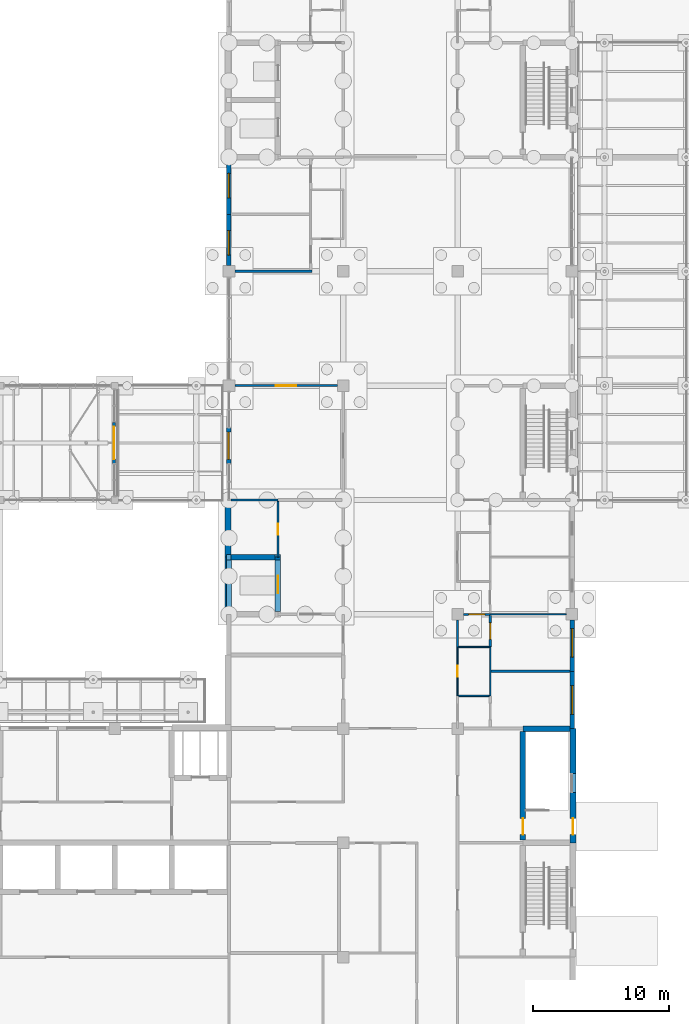
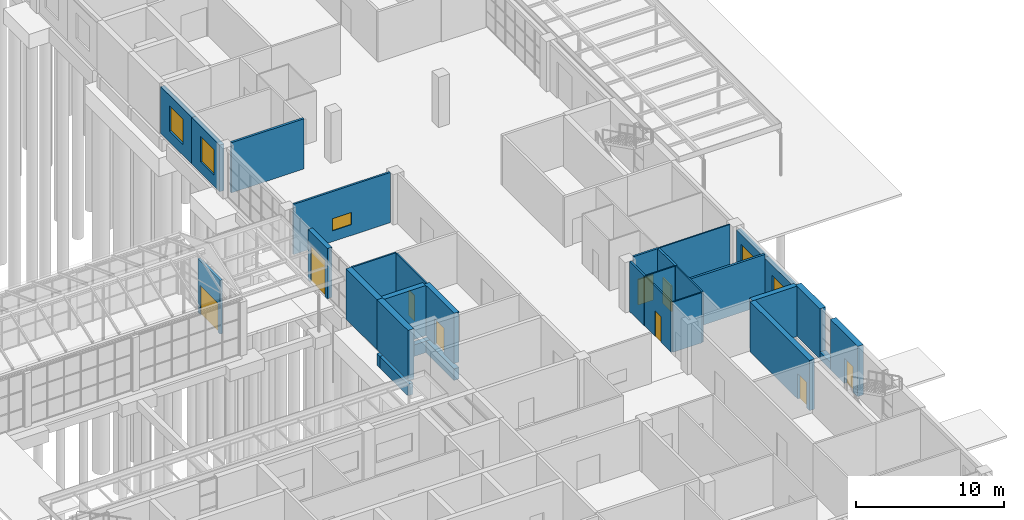
# One storey, part 116 of 138: 31 walls, 9 doors, 5 windows, 14 openings.
"""IFC4 building model written with IfcOpenShell, lengths in metres."""

from ifc_helpers import new_model, si_unit, direction, frame, frame_2d, origin, place, context, subcontext, project, spatial, rectangle, extrude, material, layer, layer_set, type_object, element, fill, save


model = new_model("IFC4")

# Units and contexts
model_context = context("Model", 3, precision=1e-05, world=origin(), true_north=direction((0.0, 1.0)))
body_context = subcontext(model_context, "Body", "Model", "MODEL_VIEW")
ifc_project = project(units=[si_unit("LENGTHUNIT", "METRE"), si_unit("AREAUNIT", "SQUARE_METRE"), si_unit("VOLUMEUNIT", "CUBIC_METRE"), si_unit("PLANEANGLEUNIT", "RADIAN"), si_unit("MASSUNIT", "GRAM", prefix="KILO")], contexts=[model_context])

# Site, building, storey
site_placement = place(None, origin())
site = spatial("IfcSite", under=ifc_project, at=site_placement, CompositionType="ELEMENT")
building_placement = place(site_placement, origin())
building = spatial("IfcBuilding", under=site, at=building_placement, Name="Yavir Park General Hospital", CompositionType="ELEMENT")
storey_placement = place(building_placement, origin())
storey = spatial("IfcBuildingStorey", under=building, at=storey_placement, Name="L00", CompositionType="ELEMENT", Elevation=0.0)

# Walls
ifc_material_1 = material(Name="Double-leaf gypsum board acoustic partition on staggered studs")
ifc_layer_1 = layer(ifc_material_1, 0.175048828125)
ifc_layer_set_1 = layer_set([ifc_layer_1], Name="Double-leaf gypsum board acoustic partition on staggered studs")
wall_type_1 = type_object("IfcWallType", Name="Acoustic partition 175", PredefinedType="PARTITIONING", material=ifc_layer_set_1)
wall_1_placement = place(storey_placement, frame((162.050048828125, 37.800048828125, 0.0), z_axis=(0.0, 0.0, 1.0), x_axis=(1.0, 0.0, 0.0)))
element("IfcWall", 1, at=wall_1_placement, inside=storey, type_object=wall_type_1, Name="AP175 L00-101", PredefinedType="PARTITIONING", context=body_context, shape_type="SweptSolid", body=[
    extrude(rectangle(XDim=5.800048828125, YDim=0.175048828125, at=frame_2d((2.89990234375, 0.0))), origin(), (0.0, 0.0, 1.0), 4.139892578125),
])
wall_2_placement = place(storey_placement, frame((143.22509765625, 67.199951171875, 0.0), z_axis=(0.0, 0.0, 1.0), x_axis=(1.0, 0.0, 0.0)))
element("IfcWall", 2, at=wall_2_placement, inside=storey, type_object=wall_type_1, Name="AP175 L00-164", PredefinedType="PARTITIONING", context=body_context, shape_type="SweptSolid", body=[
    extrude(rectangle(XDim=5.662353515625, YDim=0.175048828125, at=frame_2d((2.8310546875, 0.0))), origin(), (0.0, 0.0, 1.0), 4.139892578125),
])

# Wall, opening, door
wall_3_placement = place(storey_placement, frame((162.0, 39.60009765625, 0.0), z_axis=(0.0, 0.0, 1.0), x_axis=(0.0, 1.0, 0.0)))
wall_3 = element("IfcWall", 3, at=wall_3_placement, inside=storey, type_object=wall_type_1, Name="AP175 L00-516", PredefinedType="PARTITIONING", context=body_context, shape_type="SweptSolid", body=[
    extrude(rectangle(XDim=2.324951171875, YDim=0.175048828125, at=frame_2d((1.16259765625, 0.0))), origin(), (0.0, 0.0, 1.0), 4.139892578125),
])
opening_1_placement = place(wall_3_placement, frame((0.5625, 0.0, 0.0)))
opening_1 = element("IfcOpeningElement", 4, at=opening_1_placement, cuts=wall_3, Name="Opening L00.D239", PredefinedType="OPENING", context=body_context, shape_type="SweptSolid", body=[
    extrude(rectangle(XDim=1.199951171875, YDim=2.10009765625, at=frame_2d((0.60009765625, 1.050048828125))), frame((0.0, 0.097412109375, 0.0), z_axis=(0.0, -1.0, 0.0), x_axis=(1.0, 0.0, 0.0)), (0.0, 0.0, 1.0), 0.195068359375),
])
ifc_material_2 = material(Name="Sealed steel door leaf, compression seals", Category="steel")
door_type_1 = type_object("IfcDoorType", Name="Isolation airlock door 1200 x 2100", OperationType="SINGLE_SWING_LEFT", PredefinedType="DOOR", material=ifc_material_2)
door_1_placement = place(opening_1_placement, origin())
door_1 = element("IfcDoor", 5, at=door_1_placement, inside=storey, type_object=door_type_1, Name="L00.D239", OperationType="SINGLE_SWING_RIGHT", OverallHeight=2.10009765625, OverallWidth=1.199951171875, PredefinedType="DOOR", context=body_context, shape_type="SweptSolid", body=[
    extrude(rectangle(XDim=1.199951171875, YDim=2.10009765625, at=frame_2d((0.60009765625, 1.050048828125))), frame((0.0, 0.050048828125, 0.0), z_axis=(0.0, -1.0, 0.0), x_axis=(1.0, 0.0, 0.0)), (0.0, 0.0, 1.0), 0.10009765625),
])
fill(opening_1, door_1)

ifc_material_3 = material(Name="Aluminium glazing frame wall with insulated infill", Category="aluminium")
ifc_layer_2 = layer(ifc_material_3, 0.199951171875)
ifc_layer_set_2 = layer_set([ifc_layer_2], Name="Aluminium glazing frame wall with insulated infill")
wall_type_2 = type_object("IfcWallType", Name="Glazing frame wall 200, E 30", PredefinedType="SOLIDWALL", material=ifc_layer_set_2)
wall_4_placement = place(storey_placement, frame((134.35009765625, 53.10009765625, 0.0), z_axis=(0.0, 0.0, 1.0), x_axis=(0.0, 1.0, 0.0)))
wall_4 = element("IfcWall", 6, at=wall_4_placement, inside=storey, type_object=wall_type_2, Name="XW9 L00-155", PredefinedType="SOLIDWALL", context=body_context, shape_type="SweptSolid", body=[
    extrude(rectangle(XDim=3.0, YDim=0.199951171875, at=frame_2d((1.5, 0.0))), origin(), (0.0, 0.0, 1.0), 4.425048828125),
])
opening_2_placement = place(wall_4_placement, frame((0.300048828125, 0.0, 0.0)))
opening_2 = element("IfcOpeningElement", 7, at=opening_2_placement, cuts=wall_4, Name="Opening L00.X31", PredefinedType="OPENING", context=body_context, shape_type="SweptSolid", body=[
    extrude(rectangle(XDim=2.39990234375, YDim=2.39990234375, at=frame_2d((1.199951171875, 1.199951171875))), frame((0.0, 0.10986328125, 0.0), z_axis=(0.0, -1.0, 0.0), x_axis=(1.0, 0.0, 0.0)), (0.0, 0.0, 1.0), 0.219970703125),
])
ifc_material_4 = material(Name="Aluminium frame, toughened glass leaves", Category="aluminium")
door_type_2 = type_object("IfcDoorType", Name="Double sliding door 2400 x 2400", OperationType="DOUBLE_DOOR_SLIDING", PredefinedType="DOOR", material=ifc_material_4)
door_2_placement = place(opening_2_placement, frame((2.39990234375, 0.0, 0.0), x_axis=(-1.0, 0.0, 0.0)))
door_2 = element("IfcDoor", 8, at=door_2_placement, inside=storey, type_object=door_type_2, Name="L00.X31", OperationType="DOUBLE_DOOR_SLIDING", OverallHeight=2.39990234375, OverallWidth=2.39990234375, PredefinedType="DOOR", context=body_context, shape_type="SweptSolid", body=[
    extrude(rectangle(XDim=2.39990234375, YDim=2.39990234375, at=frame_2d((1.199951171875, 1.199951171875))), frame((0.0, 0.02490234375, 0.0), z_axis=(0.0, -1.0, 0.0), x_axis=(1.0, 0.0, 0.0)), (0.0, 0.0, 1.0), 0.050048828125),
])
fill(opening_2, door_2)

# Walls
ifc_material_5 = material(Name="Gypsum board partition on steel studs", Category="steel")
ifc_layer_3 = layer(ifc_material_5, 0.10009765625)
ifc_layer_set_3 = layer_set([ifc_layer_3], Name="Gypsum board partition on steel studs")
wall_type_3 = type_object("IfcWallType", Name="Gypsum board partition 100", PredefinedType="PARTITIONING", material=ifc_layer_set_3)
for number, where, z_axis, x_axis, name in (
    (9, (159.675048828125, 36.0, 0.0), (0.0, 0.0, 1.0), (1.0, 0.0, 0.0), "P10 L00-098"),
    (10, (159.675048828125, 39.60009765625, 0.0), (0.0, 0.0, 1.0), (1.0, 0.0, 0.0), "P10 L00-103"),
):
    element("IfcWall", number, at=place(storey_placement, frame(where, z_axis=z_axis, x_axis=x_axis)), inside=storey, type_object=wall_type_3, Name=name, PredefinedType="PARTITIONING", context=body_context, shape_type="SweptSolid", body=[
        extrude(rectangle(XDim=2.237548828125, YDim=0.10009765625, at=frame_2d((1.11865234375, 0.0))), origin(), (0.0, 0.0, 1.0), 4.139892578125),
    ])
wall_5_placement = place(storey_placement, frame((162.0, 42.0, 0.0), z_axis=(0.0, 0.0, 1.0), x_axis=(1.0, 0.0, 0.0)))
element("IfcWall", 11, at=wall_5_placement, inside=storey, type_object=wall_type_3, Name="P10 L00-114", PredefinedType="PARTITIONING", context=body_context, shape_type="SweptSolid", body=[
    extrude(rectangle(XDim=5.574951171875, YDim=0.10009765625, at=frame_2d((2.78759765625, 0.0))), origin(), (0.0, 0.0, 1.0), 4.139892578125),
])

# Wall, opening, door
wall_6_placement = place(storey_placement, frame((159.60009765625, 36.0, 0.0), z_axis=(0.0, 0.0, 1.0), x_axis=(0.0, 1.0, 0.0)))
wall_6 = element("IfcWall", 12, at=wall_6_placement, inside=storey, type_object=wall_type_3, Name="P10 L00-503", PredefinedType="PARTITIONING", context=body_context, shape_type="SweptSolid", body=[
    extrude(rectangle(XDim=3.60009765625, YDim=0.10009765625, at=frame_2d((1.800048828125, 0.0))), origin(), (0.0, 0.0, 1.0), 4.139892578125),
])
opening_3_placement = place(wall_6_placement, frame((1.39990234375, 0.0, 0.0)))
opening_3 = element("IfcOpeningElement", 13, at=opening_3_placement, cuts=wall_6, Name="Opening L00.D235", PredefinedType="OPENING", context=body_context, shape_type="SweptSolid", body=[
    extrude(rectangle(XDim=0.800048828125, YDim=2.10009765625, at=frame_2d((0.39990234375, 1.050048828125))), frame((0.0, 0.06005859375, 0.0), z_axis=(0.0, -1.0, 0.0), x_axis=(1.0, 0.0, 0.0)), (0.0, 0.0, 1.0), 0.1201171875),
])
ifc_material_6 = material(Name="Timber frame, hollow-core leaf", Category="wood")
door_type_3 = type_object("IfcDoorType", Name="Light cupboard door 800 x 2100", OperationType="SINGLE_SWING_LEFT", PredefinedType="DOOR", material=ifc_material_6)
door_3_placement = place(opening_3_placement, origin())
door_3 = element("IfcDoor", 14, at=door_3_placement, inside=storey, type_object=door_type_3, Name="L00.D235", OperationType="SINGLE_SWING_LEFT", OverallHeight=2.10009765625, OverallWidth=0.800048828125, PredefinedType="DOOR", context=body_context, shape_type="SweptSolid", body=[
    extrude(rectangle(XDim=0.800048828125, YDim=2.10009765625, at=frame_2d((0.39990234375, 1.050048828125))), frame((0.0, 0.02001953125, 0.0), z_axis=(0.0, -1.0, 0.0), x_axis=(1.0, 0.0, 0.0)), (0.0, 0.0, 1.0), 0.0400390625),
])
fill(opening_3, door_3)

# Wall
wall_7_placement = place(storey_placement, frame((162.0, 36.0, 0.0), z_axis=(0.0, 0.0, 1.0), x_axis=(0.0, 1.0, 0.0)))
element("IfcWall", 15, at=wall_7_placement, inside=storey, type_object=wall_type_3, Name="P10 L00-515", PredefinedType="PARTITIONING", context=body_context, shape_type="SweptSolid", body=[
    extrude(rectangle(XDim=3.60009765625, YDim=0.10009765625, at=frame_2d((1.800048828125, 0.0))), origin(), (0.0, 0.0, 1.0), 4.139892578125),
])

# Wall, opening, door
ifc_material_7 = material(Name="Gypsum board partition on steel studs", Category="steel")
ifc_layer_4 = layer(ifc_material_7, 0.14990234375)
ifc_layer_set_4 = layer_set([ifc_layer_4], Name="Gypsum board partition on steel studs")
wall_type_4 = type_object("IfcWallType", Name="Gypsum board partition 150", PredefinedType="PARTITIONING", material=ifc_layer_set_4)
wall_8_placement = place(storey_placement, frame((160.02490234375, 42.0, 0.0), z_axis=(0.0, 0.0, 1.0), x_axis=(1.0, 0.0, 0.0)))
wall_8 = element("IfcWall", 16, at=wall_8_placement, inside=storey, type_object=wall_type_4, Name="P15 L00-113", PredefinedType="PARTITIONING", context=body_context, shape_type="SweptSolid", body=[
    extrude(rectangle(XDim=1.97509765625, YDim=0.14990234375, at=frame_2d((0.987548828125, 0.0))), origin(), (0.0, 0.0, 1.0), 4.139892578125),
])
opening_4_placement = place(wall_8_placement, frame((0.387451171875, 0.0, 0.0)))
opening_4 = element("IfcOpeningElement", 17, at=opening_4_placement, cuts=wall_8, Name="Opening L00.D085", PredefinedType="OPENING", context=body_context, shape_type="SweptSolid", body=[
    extrude(rectangle(XDim=1.199951171875, YDim=2.10009765625, at=frame_2d((0.60009765625, 1.050048828125))), frame((0.0, 0.0849609375, 0.0), z_axis=(0.0, -1.0, 0.0), x_axis=(1.0, 0.0, 0.0)), (0.0, 0.0, 1.0), 0.169921875),
])
door_4_placement = place(opening_4_placement, origin())
door_4 = element("IfcDoor", 18, at=door_4_placement, inside=storey, type_object=door_type_1, Name="L00.D085", OperationType="SINGLE_SWING_RIGHT", OverallHeight=2.10009765625, OverallWidth=1.199951171875, PredefinedType="DOOR", context=body_context, shape_type="SweptSolid", body=[
    extrude(rectangle(XDim=1.199951171875, YDim=2.10009765625, at=frame_2d((0.60009765625, 1.050048828125))), frame((0.0, 0.050048828125, 0.0), z_axis=(0.0, -1.0, 0.0), x_axis=(1.0, 0.0, 0.0)), (0.0, 0.0, 1.0), 0.10009765625),
])
fill(opening_4, door_4)

# Wall, opening, window
wall_9_placement = place(storey_placement, frame((143.22509765625, 58.800048828125, 0.0), z_axis=(0.0, 0.0, 1.0), x_axis=(1.0, 0.0, 0.0)))
wall_9 = element("IfcWall", 19, at=wall_9_placement, inside=storey, type_object=wall_type_4, Name="P15 L00-147", PredefinedType="PARTITIONING", context=body_context, shape_type="SweptSolid", body=[
    extrude(rectangle(XDim=7.5498046875, YDim=0.14990234375, at=frame_2d((3.77490234375, 0.0))), origin(), (0.0, 0.0, 1.0), 4.139892578125),
])
opening_5_placement = place(wall_9_placement, frame((3.02490234375, 0.0, 0.89990234375)))
opening_5 = element("IfcOpeningElement", 20, at=opening_5_placement, cuts=wall_9, Name="Opening L00.906", PredefinedType="OPENING", context=body_context, shape_type="SweptSolid", body=[
    extrude(rectangle(XDim=1.5, YDim=1.0, at=frame_2d((0.75, 0.5))), frame((0.0, 0.0849609375, 0.0), z_axis=(0.0, -1.0, 0.0), x_axis=(1.0, 0.0, 0.0)), (0.0, 0.0, 1.0), 0.169921875),
])
ifc_material_8 = material(Name="Toughened glass sliding panels, aluminium frame", Category="aluminium")
window_type_1 = type_object("IfcWindowType", Name="Reception counter window 1500 x 1000", PartitioningType="DOUBLE_PANEL_HORIZONTAL", PredefinedType="WINDOW", material=ifc_material_8)
window_1_placement = place(opening_5_placement, origin())
window_1 = element("IfcWindow", 21, at=window_1_placement, inside=storey, type_object=window_type_1, Name="L00.906", OverallHeight=1.0, OverallWidth=1.5, PartitioningType="DOUBLE_PANEL_HORIZONTAL", PredefinedType="WINDOW", context=body_context, shape_type="SweptSolid", body=[
    extrude(rectangle(XDim=1.5, YDim=1.0, at=frame_2d((0.75, 0.5))), frame((0.0, 0.02490234375, 0.0), z_axis=(0.0, -1.0, 0.0), x_axis=(1.0, 0.0, 0.0)), (0.0, 0.0, 1.0), 0.050048828125),
])
fill(opening_5, window_1)

# Wall
wall_10_placement = place(storey_placement, frame((159.60009765625, 39.60009765625, 0.0), z_axis=(0.0, 0.0, 1.0), x_axis=(0.0, 1.0, 0.0)))
element("IfcWall", 22, at=wall_10_placement, inside=storey, type_object=wall_type_4, Name="P15 L00-504", PredefinedType="PARTITIONING", context=body_context, shape_type="SweptSolid", body=[
    extrude(rectangle(XDim=1.974853515625, YDim=0.14990234375, at=frame_2d((0.9873046875, 0.0))), origin(), (0.0, 0.0, 1.0), 4.139892578125),
])

# Wall, opening, door
ifc_material_9 = material(Name="Concrete C30/37 precast panel with 120 mm mineral wool insulation", Category="concrete")
ifc_layer_5 = layer(ifc_material_9, 0.35009765625)
ifc_layer_set_5 = layer_set([ifc_layer_5], Name="Concrete C30/37 precast panel with 120 mm mineral wool insulation")
wall_type_5 = type_object("IfcWallType", Name="Precast cladding panel podium wall 350, E 30", PredefinedType="SOLIDWALL", material=ifc_layer_set_5)
wall_11_placement = place(storey_placement, frame((142.77490234375, 53.08740234375, 0.0), z_axis=(0.0, 0.0, 1.0), x_axis=(0.0, 1.0, 0.0)))
wall_11 = element("IfcWall", 23, at=wall_11_placement, inside=storey, type_object=wall_type_5, Name="XW2 L00-160", PredefinedType="SOLIDWALL", context=body_context, shape_type="SweptSolid", body=[
    extrude(rectangle(XDim=2.60009765625, YDim=0.35009765625, at=frame_2d((1.300048828125, 0.0))), origin(), (0.0, 0.0, 1.0), 4.139892578125),
])
opening_6_placement = place(wall_11_placement, frame((0.300048828125, 0.0, 0.0)))
opening_6 = element("IfcOpeningElement", 24, at=opening_6_placement, cuts=wall_11, Name="Opening L00.X32", PredefinedType="OPENING", context=body_context, shape_type="SweptSolid", body=[
    extrude(rectangle(XDim=2.0, YDim=3.0, at=frame_2d((1.0, 1.5))), frame((0.0, 0.18505859375, 0.0), z_axis=(0.0, -1.0, 0.0), x_axis=(1.0, 0.0, 0.0)), (0.0, 0.0, 1.0), 0.3701171875),
])
ifc_material_10 = material(Name="Aluminium frame, toughened glass leaves", Category="aluminium")
door_type_4 = type_object("IfcDoorType", Name="Automatic entrance sliding door 2000 x 3000", OperationType="DOUBLE_DOOR_SLIDING", PredefinedType="DOOR", material=ifc_material_10)
door_5_placement = place(opening_6_placement, origin())
door_5 = element("IfcDoor", 25, at=door_5_placement, inside=storey, type_object=door_type_4, Name="L00.X32", OperationType="DOUBLE_DOOR_SLIDING", OverallHeight=3.0, OverallWidth=2.0, PredefinedType="DOOR", context=body_context, shape_type="SweptSolid", body=[
    extrude(rectangle(XDim=2.0, YDim=3.0, at=frame_2d((1.0, 1.5))), frame((0.0, 0.06005859375, 0.0), z_axis=(0.0, -1.0, 0.0), x_axis=(1.0, 0.0, 0.0)), (0.0, 0.0, 1.0), 0.1201171875),
])
fill(opening_6, door_5)

# Wall, opening, window
wall_12_placement = place(storey_placement, frame((142.77490234375, 67.625, 0.0), z_axis=(0.0, 0.0, 1.0), x_axis=(0.0, 1.0, 0.0)))
wall_12 = element("IfcWall", 26, at=wall_12_placement, inside=storey, type_object=wall_type_5, Name="XW2 L00-161", PredefinedType="SOLIDWALL", context=body_context, shape_type="SweptSolid", body=[
    extrude(rectangle(XDim=3.77490234375, YDim=0.35009765625, at=frame_2d((1.887451171875, 0.0))), origin(), (0.0, 0.0, 1.0), 3.840087890625),
])
opening_7_placement = place(wall_12_placement, frame((0.77490234375, 0.0, 0.89990234375)))
opening_7 = element("IfcOpeningElement", 27, at=opening_7_placement, cuts=wall_12, Name="Opening WS2", PredefinedType="OPENING", context=body_context, shape_type="SweptSolid", body=[
    extrude(rectangle(XDim=1.800048828125, YDim=2.10009765625, at=frame_2d((0.89990234375, 1.050048828125))), frame((0.0, 0.18505859375, 0.0), z_axis=(0.0, -1.0, 0.0), x_axis=(1.0, 0.0, 0.0)), (0.0, 0.0, 1.0), 0.3701171875),
])
ifc_material_11 = material(Name="Aluminium frame, impact-resistant glazed unit", Category="aluminium")
window_type_2 = type_object("IfcWindowType", Name="Tall emergency department window, impact glazing 1800 x 2100", PartitioningType="SINGLE_PANEL", PredefinedType="WINDOW", material=ifc_material_11)
window_2_placement = place(opening_7_placement, origin())
window_2 = element("IfcWindow", 28, at=window_2_placement, inside=storey, type_object=window_type_2, Name="WS2 L00-065", OverallHeight=2.10009765625, OverallWidth=1.800048828125, PartitioningType="SINGLE_PANEL", PredefinedType="WINDOW", context=body_context, shape_type="SweptSolid", body=[
    extrude(rectangle(XDim=1.800048828125, YDim=2.10009765625, at=frame_2d((0.89990234375, 1.050048828125))), frame((0.0, 0.044921875, 0.0), z_axis=(0.0, -1.0, 0.0), x_axis=(1.0, 0.0, 0.0)), (0.0, 0.0, 1.0), 0.090087890625),
])
fill(opening_7, window_2)

wall_13_placement = place(storey_placement, frame((142.77490234375, 71.39990234375, 0.0), z_axis=(0.0, 0.0, 1.0), x_axis=(0.0, 1.0, 0.0)))
wall_13 = element("IfcWall", 29, at=wall_13_placement, inside=storey, type_object=wall_type_5, Name="XW2 L00-162", PredefinedType="SOLIDWALL", context=body_context, shape_type="SweptSolid", body=[
    extrude(rectangle(XDim=4.2001953125, YDim=0.35009765625, at=frame_2d((2.10009765625, 0.0))), origin(), (0.0, 0.0, 1.0), 3.840087890625),
])
opening_8_placement = place(wall_13_placement, frame((1.199951171875, 0.0, 0.89990234375)))
opening_8 = element("IfcOpeningElement", 30, at=opening_8_placement, cuts=wall_13, Name="Opening WS2", PredefinedType="OPENING", context=body_context, shape_type="SweptSolid", body=[
    extrude(rectangle(XDim=1.800048828125, YDim=2.10009765625, at=frame_2d((0.89990234375, 1.050048828125))), frame((0.0, 0.18505859375, 0.0), z_axis=(0.0, -1.0, 0.0), x_axis=(1.0, 0.0, 0.0)), (0.0, 0.0, 1.0), 0.3701171875),
])
window_3_placement = place(opening_8_placement, origin())
window_3 = element("IfcWindow", 31, at=window_3_placement, inside=storey, type_object=window_type_2, Name="WS2 L00-066", OverallHeight=2.10009765625, OverallWidth=1.800048828125, PartitioningType="SINGLE_PANEL", PredefinedType="WINDOW", context=body_context, shape_type="SweptSolid", body=[
    extrude(rectangle(XDim=1.800048828125, YDim=2.10009765625, at=frame_2d((0.89990234375, 1.050048828125))), frame((0.0, 0.044921875, 0.0), z_axis=(0.0, -1.0, 0.0), x_axis=(1.0, 0.0, 0.0)), (0.0, 0.0, 1.0), 0.090087890625),
])
fill(opening_8, window_3)

wall_14_placement = place(storey_placement, frame((168.02490234375, 33.60009765625, 0.0), z_axis=(0.0, 0.0, 1.0), x_axis=(0.0, 1.0, 0.0)))
wall_14 = element("IfcWall", 32, at=wall_14_placement, inside=storey, type_object=wall_type_5, Name="XW2 L00-180", PredefinedType="SOLIDWALL", context=body_context, shape_type="SweptSolid", body=[
    extrude(rectangle(XDim=4.199951171875, YDim=0.35009765625, at=frame_2d((2.10009765625, 0.0))), origin(), (0.0, 0.0, 1.0), 3.840087890625),
])
opening_9_placement = place(wall_14_placement, frame((1.050048828125, 0.0, 0.89990234375)))
opening_9 = element("IfcOpeningElement", 33, at=opening_9_placement, cuts=wall_14, Name="Opening WI2", PredefinedType="OPENING", context=body_context, shape_type="SweptSolid", body=[
    extrude(rectangle(XDim=2.10009765625, YDim=2.10009765625, at=frame_2d((1.050048828125, 1.050048828125))), frame((0.0, 0.18505859375, 0.0), z_axis=(0.0, -1.0, 0.0), x_axis=(1.0, 0.0, 0.0)), (0.0, 0.0, 1.0), 0.3701171875),
])
ifc_material_12 = material(Name="Aluminium frame, acoustic glazed unit", Category="aluminium")
window_type_3 = type_object("IfcWindowType", Name="Tall acoustic glazed window 2100 x 2100", PartitioningType="SINGLE_PANEL", PredefinedType="WINDOW", material=ifc_material_12)
window_4_placement = place(opening_9_placement, origin())
window_4 = element("IfcWindow", 34, at=window_4_placement, inside=storey, type_object=window_type_3, Name="WI2 L00-078", OverallHeight=2.10009765625, OverallWidth=2.10009765625, PartitioningType="SINGLE_PANEL", PredefinedType="WINDOW", context=body_context, shape_type="SweptSolid", body=[
    extrude(rectangle(XDim=2.10009765625, YDim=2.10009765625, at=frame_2d((1.050048828125, 1.050048828125))), frame((0.0, 0.044921875, 0.0), z_axis=(0.0, -1.0, 0.0), x_axis=(1.0, 0.0, 0.0)), (0.0, 0.0, 1.0), 0.090087890625),
])
fill(opening_9, window_4)

wall_15_placement = place(storey_placement, frame((168.02490234375, 37.800048828125, 0.0), z_axis=(0.0, 0.0, 1.0), x_axis=(0.0, 1.0, 0.0)))
wall_15 = element("IfcWall", 35, at=wall_15_placement, inside=storey, type_object=wall_type_5, Name="XW2 L00-181", PredefinedType="SOLIDWALL", context=body_context, shape_type="SweptSolid", body=[
    extrude(rectangle(XDim=3.77490234375, YDim=0.35009765625, at=frame_2d((1.887451171875, 0.0))), origin(), (0.0, 0.0, 1.0), 3.840087890625),
])
opening_10_placement = place(wall_15_placement, frame((1.050048828125, 0.0, 0.89990234375)))
opening_10 = element("IfcOpeningElement", 36, at=opening_10_placement, cuts=wall_15, Name="Opening WI2", PredefinedType="OPENING", context=body_context, shape_type="SweptSolid", body=[
    extrude(rectangle(XDim=2.10009765625, YDim=2.10009765625, at=frame_2d((1.050048828125, 1.050048828125))), frame((0.0, 0.18505859375, 0.0), z_axis=(0.0, -1.0, 0.0), x_axis=(1.0, 0.0, 0.0)), (0.0, 0.0, 1.0), 0.3701171875),
])
window_5_placement = place(opening_10_placement, origin())
window_5 = element("IfcWindow", 37, at=window_5_placement, inside=storey, type_object=window_type_3, Name="WI2 L00-079", OverallHeight=2.10009765625, OverallWidth=2.10009765625, PartitioningType="SINGLE_PANEL", PredefinedType="WINDOW", context=body_context, shape_type="SweptSolid", body=[
    extrude(rectangle(XDim=2.10009765625, YDim=2.10009765625, at=frame_2d((1.050048828125, 1.050048828125))), frame((0.0, 0.044921875, 0.0), z_axis=(0.0, -1.0, 0.0), x_axis=(1.0, 0.0, 0.0)), (0.0, 0.0, 1.0), 0.090087890625),
])
fill(opening_10, window_5)

# Walls
ifc_material_13 = material(Name="Concrete C35/45", Category="concrete")
ifc_layer_6 = layer(ifc_material_13, 0.39990234375)
ifc_layer_set_6 = layer_set([ifc_layer_6], Name="Concrete C35/45")
wall_type_6 = type_object("IfcWallType", Name="RC WALL LIFT PIT 400", PredefinedType="SOLIDWALL", material=ifc_layer_set_6)
wall_16_placement = place(storey_placement, frame((142.60009765625, 46.199951171875, -1.39990234375), z_axis=(0.0, 0.0, 1.0), x_axis=(1.0, 0.0, 0.0)))
element("IfcWall", 38, at=wall_16_placement, inside=storey, type_object=wall_type_6, Name="W:PIT:EDL:1", PredefinedType="SOLIDWALL", context=body_context, shape_type="SweptSolid", body=[
    extrude(rectangle(XDim=4.0, YDim=0.39990234375, at=frame_2d((2.0, 0.0))), origin(), (0.0, 0.0, 1.0), 0.949951171875),
])
for number, where, z_axis, x_axis, name in (
    (39, (142.800048828125, 42.199951171875, -1.39990234375), (0.0, 0.0, 1.0), (0.0, 1.0, 0.0), "W:PIT:EDL:2"),
    (40, (146.39990234375, 42.199951171875, -1.39990234375), (0.0, 0.0, 1.0), (0.0, 1.0, 0.0), "W:PIT:EDL:3"),
):
    element("IfcWall", number, at=place(storey_placement, frame(where, z_axis=z_axis, x_axis=x_axis)), inside=storey, type_object=wall_type_6, Name=name, PredefinedType="SOLIDWALL", context=body_context, shape_type="SweptSolid", body=[
        extrude(rectangle(XDim=3.800048828125, YDim=0.39990234375, at=frame_2d((1.89990234375, 0.0))), origin(), (0.0, 0.0, 1.0), 0.949951171875),
    ])
ifc_material_14 = material(Name="Concrete C35/45", Category="concrete")
ifc_layer_7 = layer(ifc_material_14, 0.39990234375)
ifc_layer_set_7 = layer_set([ifc_layer_7], Name="Concrete C35/45")
wall_type_7 = type_object("IfcWallType", Name="Reinforced concrete core wall 400, REI 150", PredefinedType="SHEAR", material=ifc_layer_set_7)
wall_17_placement = place(storey_placement, frame((164.39990234375, 33.60009765625, 0.0), z_axis=(0.0, 0.0, 1.0), x_axis=(1.0, 0.0, 0.0)))
element("IfcWall", 41, at=wall_17_placement, inside=storey, type_object=wall_type_7, Name="CW40 L00-095", PredefinedType="SHEAR", context=body_context, shape_type="SweptSolid", body=[
    extrude(rectangle(XDim=3.4501953125, YDim=0.39990234375, at=frame_2d((1.72509765625, 0.0))), origin(), (0.0, 0.0, 1.0), 4.139892578125),
])
wall_18_placement = place(storey_placement, frame((142.949951171875, 46.199951171875, 0.0), z_axis=(0.0, 0.0, 1.0), x_axis=(1.0, 0.0, 0.0)))
element("IfcWall", 42, at=wall_18_placement, inside=storey, type_object=wall_type_7, Name="CW40 L00-118", PredefinedType="SHEAR", context=body_context, shape_type="SweptSolid", body=[
    extrude(rectangle(XDim=3.25, YDim=0.39990234375, at=frame_2d((1.625, 0.0))), origin(), (0.0, 0.0, 1.0), 4.139892578125),
])

# Wall, opening, door
wall_19_placement = place(storey_placement, frame((146.39990234375, 42.199951171875, 0.0), z_axis=(0.0, 0.0, 1.0), x_axis=(0.0, 1.0, 0.0)))
wall_19 = element("IfcWall", 43, at=wall_19_placement, inside=storey, type_object=wall_type_7, Name="CW40 L00-467", PredefinedType="SHEAR", context=body_context, shape_type="SweptSolid", body=[
    extrude(rectangle(XDim=4.0, YDim=0.39990234375, at=frame_2d((2.0, 0.0))), origin(), (0.0, 0.0, 1.0), 4.139892578125),
])
opening_11_placement = place(wall_19_placement, frame((1.35009765625, 0.0, 0.0)))
opening_11 = element("IfcOpeningElement", 44, at=opening_11_placement, cuts=wall_19, Name="Opening L00.D213", PredefinedType="OPENING", context=body_context, shape_type="SweptSolid", body=[
    extrude(rectangle(XDim=1.300048828125, YDim=2.10009765625, at=frame_2d((0.64990234375, 1.050048828125))), frame((0.0, 0.2099609375, 0.0), z_axis=(0.0, -1.0, 0.0), x_axis=(1.0, 0.0, 0.0)), (0.0, 0.0, 1.0), 0.419921875),
])
ifc_material_15 = material(Name="Stainless steel landing door panels", Category="steel")
door_type_5 = type_object("IfcDoorType", Name="Lift landing door 1300 x 2100, EI 60", OperationType="SLIDING_TO_LEFT", PredefinedType="DOOR", material=ifc_material_15)
door_6_placement = place(opening_11_placement, origin())
door_6 = element("IfcDoor", 45, at=door_6_placement, inside=storey, type_object=door_type_5, Name="L00.D213", OperationType="SLIDING_TO_LEFT", OverallHeight=2.10009765625, OverallWidth=1.300048828125, PredefinedType="DOOR", context=body_context, shape_type="SweptSolid", body=[
    extrude(rectangle(XDim=1.300048828125, YDim=2.10009765625, at=frame_2d((0.64990234375, 1.050048828125))), frame((0.0, 0.02490234375, 0.0), z_axis=(0.0, -1.0, 0.0), x_axis=(1.0, 0.0, 0.0)), (0.0, 0.0, 1.0), 0.050048828125),
])
fill(opening_11, door_6)

wall_20_placement = place(storey_placement, frame((164.39990234375, 25.39990234375, 0.0), z_axis=(0.0, 0.0, 1.0), x_axis=(0.0, 1.0, 0.0)))
wall_20 = element("IfcWall", 46, at=wall_20_placement, inside=storey, type_object=wall_type_7, Name="CW40 L00-528", PredefinedType="SHEAR", context=body_context, shape_type="SweptSolid", body=[
    extrude(rectangle(XDim=8.0, YDim=0.39990234375, at=frame_2d((4.0, 0.0))), origin(), (0.0, 0.0, 1.0), 4.139892578125),
])
opening_12_placement = place(wall_20_placement, frame((0.39990234375, 0.0, 0.0)))
opening_12 = element("IfcOpeningElement", 47, at=opening_12_placement, cuts=wall_20, Name="Opening L00.D249", PredefinedType="OPENING", context=body_context, shape_type="SweptSolid", body=[
    extrude(rectangle(XDim=1.199951171875, YDim=2.10009765625, at=frame_2d((0.60009765625, 1.050048828125))), frame((0.0, 0.2099609375, 0.0), z_axis=(0.0, -1.0, 0.0), x_axis=(1.0, 0.0, 0.0)), (0.0, 0.0, 1.0), 0.419921875),
])
ifc_material_16 = material(Name="Steel frame, fire-resisting timber leaf", Category="steel")
door_type_6 = type_object("IfcDoorType", Name="Fire door 1200 x 2100, EI 60", OperationType="SINGLE_SWING_LEFT", PredefinedType="DOOR", material=ifc_material_16)
door_7_placement = place(opening_12_placement, origin())
door_7 = element("IfcDoor", 48, at=door_7_placement, inside=storey, type_object=door_type_6, Name="L00.D249", OperationType="SINGLE_SWING_RIGHT", OverallHeight=2.10009765625, OverallWidth=1.199951171875, PredefinedType="DOOR", context=body_context, shape_type="SweptSolid", body=[
    extrude(rectangle(XDim=1.199951171875, YDim=2.10009765625, at=frame_2d((0.60009765625, 1.050048828125))), frame((0.0, 0.02490234375, 0.0), z_axis=(0.0, -1.0, 0.0), x_axis=(1.0, 0.0, 0.0)), (0.0, 0.0, 1.0), 0.050048828125),
])
fill(opening_12, door_7)

# Wall
ifc_material_17 = material(Name="Gypsum shaft wall system on steel studs", Category="steel")
ifc_layer_8 = layer(ifc_material_17, 0.125)
ifc_layer_set_8 = layer_set([ifc_layer_8], Name="Gypsum shaft wall system on steel studs")
wall_type_8 = type_object("IfcWallType", Name="Shaft wall 125, EI 90", PredefinedType="SOLIDWALL", material=ifc_layer_set_8)
wall_21_placement = place(storey_placement, frame((142.949951171875, 50.39990234375, 0.0), z_axis=(0.0, 0.0, 1.0), x_axis=(1.0, 0.0, 0.0)))
element("IfcWall", 49, at=wall_21_placement, inside=storey, type_object=wall_type_8, Name="SW125 L00-130", PredefinedType="SOLIDWALL", context=body_context, shape_type="SweptSolid", body=[
    extrude(rectangle(XDim=3.449951171875, YDim=0.125, at=frame_2d((1.72509765625, 0.0))), origin(), (0.0, 0.0, 1.0), 4.139892578125),
])

# Wall, opening, door
wall_22_placement = place(storey_placement, frame((146.39990234375, 46.199951171875, 0.0), z_axis=(0.0, 0.0, 1.0), x_axis=(0.0, 1.0, 0.0)))
wall_22 = element("IfcWall", 50, at=wall_22_placement, inside=storey, type_object=wall_type_8, Name="SW125 L00-468", PredefinedType="SOLIDWALL", context=body_context, shape_type="SweptSolid", body=[
    extrude(rectangle(XDim=4.10009765625, YDim=0.125, at=frame_2d((2.050048828125, 0.0))), origin(), (0.0, 0.0, 1.0), 4.139892578125),
])
opening_13_placement = place(wall_22_placement, frame((1.64990234375, 0.0, 0.0)))
opening_13 = element("IfcOpeningElement", 51, at=opening_13_placement, cuts=wall_22, Name="Opening L00.D214", PredefinedType="OPENING", context=body_context, shape_type="SweptSolid", body=[
    extrude(rectangle(XDim=0.800048828125, YDim=2.10009765625, at=frame_2d((0.39990234375, 1.050048828125))), frame((0.0, 0.072509765625, 0.0), z_axis=(0.0, -1.0, 0.0), x_axis=(1.0, 0.0, 0.0)), (0.0, 0.0, 1.0), 0.14501953125),
])
ifc_material_18 = material(Name="Steel frame, fire-resisting access leaf", Category="steel")
door_type_7 = type_object("IfcDoorType", Name="Fire-resisting riser access door 800 x 2100, EI 90", OperationType="SINGLE_SWING_LEFT", PredefinedType="DOOR", material=ifc_material_18)
door_8_placement = place(opening_13_placement, origin())
door_8 = element("IfcDoor", 52, at=door_8_placement, inside=storey, type_object=door_type_7, Name="L00.D214", OperationType="SINGLE_SWING_LEFT", OverallHeight=2.10009765625, OverallWidth=0.800048828125, PredefinedType="DOOR", context=body_context, shape_type="SweptSolid", body=[
    extrude(rectangle(XDim=0.800048828125, YDim=2.10009765625, at=frame_2d((0.39990234375, 1.050048828125))), frame((0.0, 0.030029296875, 0.0), z_axis=(0.0, -1.0, 0.0), x_axis=(1.0, 0.0, 0.0)), (0.0, 0.0, 1.0), 0.06005859375),
])
fill(opening_13, door_8)

# Walls
ifc_material_19 = material(Name="Concrete C30/37 precast panel with 150 mm mineral wool insulation", Category="concrete")
ifc_layer_9 = layer(ifc_material_19, 0.449951171875)
ifc_layer_set_9 = layer_set([ifc_layer_9], Name="Concrete C30/37 precast panel with 150 mm mineral wool insulation")
wall_type_9 = type_object("IfcWallType", Name="Stair enclosure wall 450, REI 150", PredefinedType="SOLIDWALL", material=ifc_layer_set_9)
for number, where, z_axis, x_axis, name in (
    (53, (142.72509765625, 42.0, 0.0), (0.0, 0.0, 1.0), (0.0, 1.0, 0.0), "XW6 L00-158"),
    (54, (142.72509765625, 46.199951171875, 0.0), (0.0, 0.0, 1.0), (0.0, 1.0, 0.0), "XW6 L00-159"),
):
    element("IfcWall", number, at=place(storey_placement, frame(where, z_axis=z_axis, x_axis=x_axis)), inside=storey, type_object=wall_type_9, Name=name, PredefinedType="SOLIDWALL", context=body_context, shape_type="SweptSolid", body=[
        extrude(rectangle(XDim=4.199951171875, YDim=0.449951171875, at=frame_2d((2.10009765625, 0.0))), origin(), (0.0, 0.0, 1.0), 4.139892578125),
    ])

# Wall, opening, door
wall_23_placement = place(storey_placement, frame((168.074951171875, 25.199951171875, 0.0), z_axis=(0.0, 0.0, 1.0), x_axis=(0.0, 1.0, 0.0)))
wall_23 = element("IfcWall", 55, at=wall_23_placement, inside=storey, type_object=wall_type_9, Name="XW6 L00-177", PredefinedType="SOLIDWALL", context=body_context, shape_type="SweptSolid", body=[
    extrude(rectangle(XDim=3.699951171875, YDim=0.449951171875, at=frame_2d((1.85009765625, 0.0))), origin(), (0.0, 0.0, 1.0), 4.139892578125),
])
opening_14_placement = place(wall_23_placement, frame((0.60009765625, 0.0, 0.0)))
opening_14 = element("IfcOpeningElement", 56, at=opening_14_placement, cuts=wall_23, Name="Opening L00.X34", PredefinedType="OPENING", context=body_context, shape_type="SweptSolid", body=[
    extrude(rectangle(XDim=1.199951171875, YDim=2.10009765625, at=frame_2d((0.60009765625, 1.050048828125))), frame((0.0, 0.23486328125, 0.0), z_axis=(0.0, -1.0, 0.0), x_axis=(1.0, 0.0, 0.0)), (0.0, 0.0, 1.0), 0.469970703125),
])
ifc_material_20 = material(Name="Hollow metal frame, solid-core timber leaf", Category="wood")
door_type_8 = type_object("IfcDoorType", Name="Single swing door 1200 x 2100", OperationType="SINGLE_SWING_LEFT", PredefinedType="DOOR", material=ifc_material_20)
door_9_placement = place(opening_14_placement, frame((1.199951171875, 0.0, 0.0), x_axis=(-1.0, 0.0, 0.0)))
door_9 = element("IfcDoor", 57, at=door_9_placement, inside=storey, type_object=door_type_8, Name="L00.X34", OperationType="SINGLE_SWING_LEFT", OverallHeight=2.10009765625, OverallWidth=1.199951171875, PredefinedType="DOOR", context=body_context, shape_type="SweptSolid", body=[
    extrude(rectangle(XDim=1.199951171875, YDim=2.10009765625, at=frame_2d((0.60009765625, 1.050048828125))), frame((0.0, 0.02490234375, 0.0), z_axis=(0.0, -1.0, 0.0), x_axis=(1.0, 0.0, 0.0)), (0.0, 0.0, 1.0), 0.050048828125),
])
fill(opening_14, door_9)

# Walls
wall_24_placement = place(storey_placement, frame((168.074951171875, 30.300048828125, 0.0), z_axis=(0.0, 0.0, 1.0), x_axis=(0.0, 1.0, 0.0)))
element("IfcWall", 58, at=wall_24_placement, inside=storey, type_object=wall_type_9, Name="XW6 L00-178", PredefinedType="SOLIDWALL", context=body_context, shape_type="SweptSolid", body=[
    extrude(rectangle(XDim=3.300048828125, YDim=0.449951171875, at=frame_2d((1.64990234375, 0.0))), origin(), (0.0, 0.0, 1.0), 4.139892578125),
])
wall_25_placement = place(storey_placement, frame((168.074951171875, 28.89990234375, 0.0), z_axis=(0.0, 0.0, 1.0), x_axis=(0.0, 1.0, 0.0)))
element("IfcWall", 59, at=wall_25_placement, inside=storey, type_object=wall_type_9, Name="XW6 L00-179", PredefinedType="SOLIDWALL", context=body_context, shape_type="SweptSolid", body=[
    extrude(rectangle(XDim=1.400146484375, YDim=0.449951171875, at=frame_2d((0.7001953125, 0.0))), origin(), (0.0, 0.0, 1.0), 0.60009765625),
])

save(model, "model.ifc")
